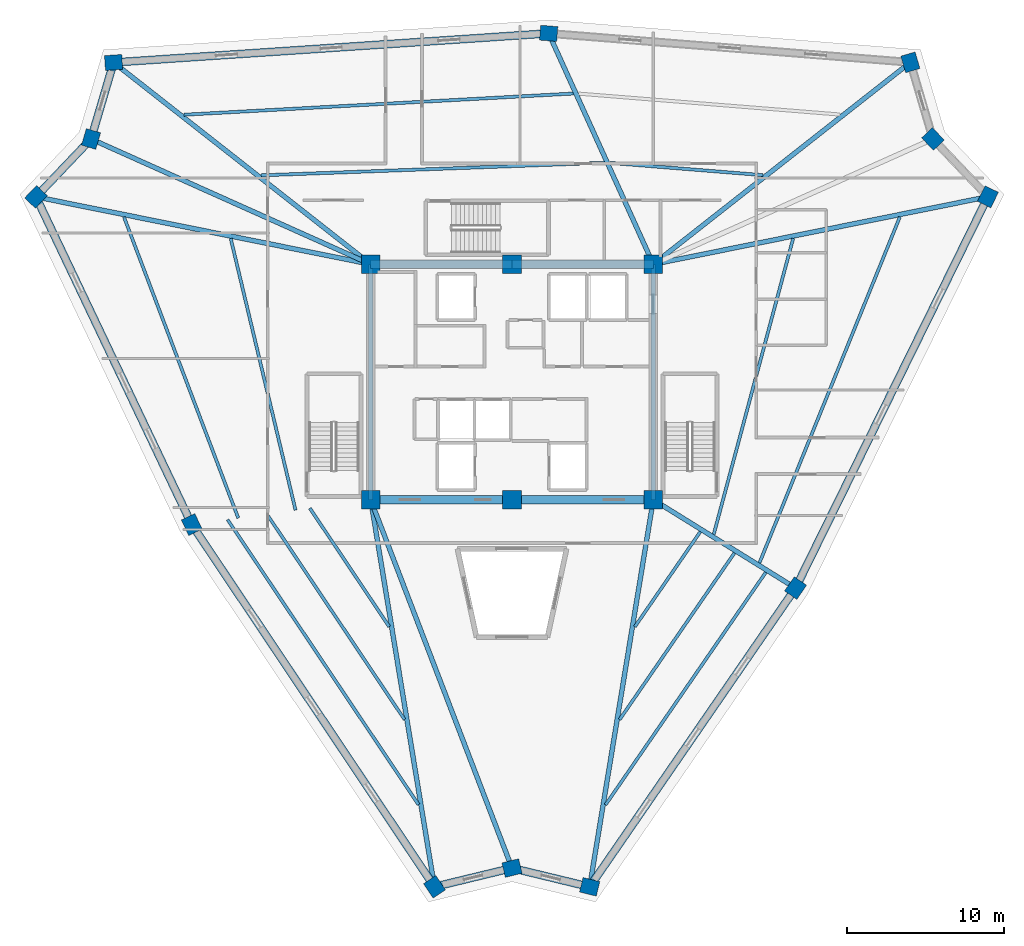
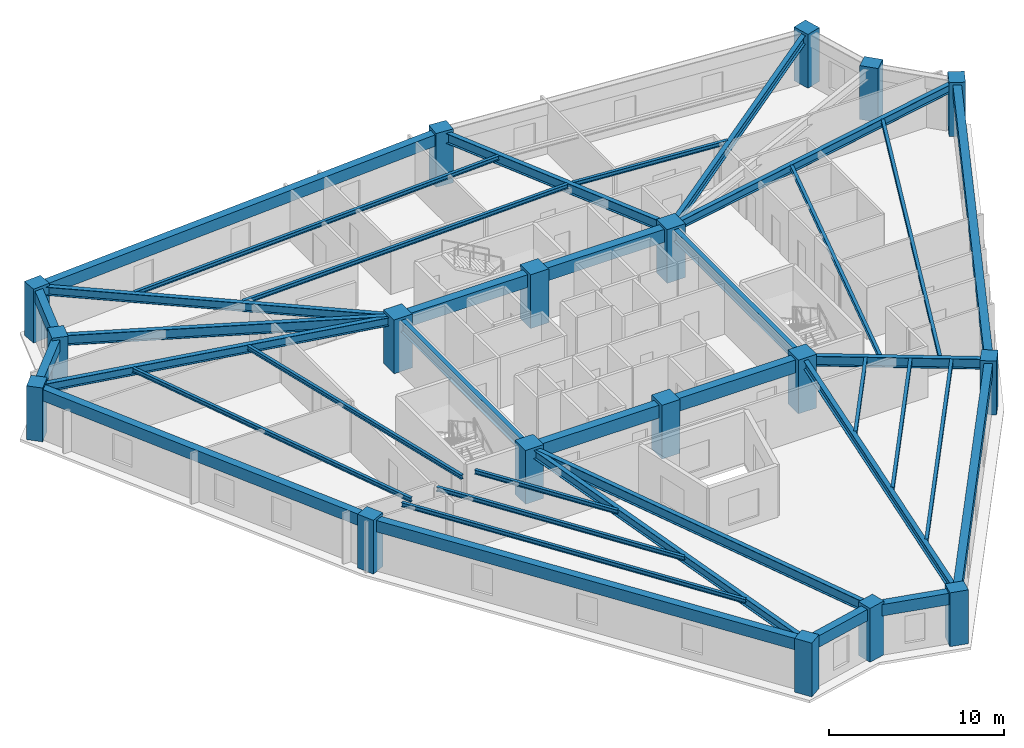
# One storey, part 1 of 8: 38 beams, 18 columns.
"""IFC4 building model written with IfcOpenShell, lengths in metres."""

from ifc_helpers import new_model, si_unit, direction, frame, origin, origin_2d, place, context, subcontext, project, spatial, rectangle, i_section, extrude, source, transform, mapped, material, material_profile, profile_set, type_object, element, save


model = new_model("IFC4")

# Units and contexts
model_context = context("Model", 3, precision=1e-05, world=origin(), true_north=direction((0.0, 1.0)))
body_context = subcontext(model_context, "Body", "Model", "MODEL_VIEW")
ifc_project = project(units=[si_unit("LENGTHUNIT", "METRE"), si_unit("AREAUNIT", "SQUARE_METRE"), si_unit("VOLUMEUNIT", "CUBIC_METRE"), si_unit("PLANEANGLEUNIT", "RADIAN"), si_unit("MASSUNIT", "GRAM", prefix="KILO")], contexts=[model_context])

# Site, building, storey
site_placement = place(None, origin())
site = spatial("IfcSite", under=ifc_project, at=site_placement, CompositionType="ELEMENT")
building_placement = place(site_placement, origin())
building = spatial("IfcBuilding", under=site, at=building_placement, Name="Liaohun Quay Tower", CompositionType="ELEMENT")
storey_placement = place(building_placement, frame((0.0, 0.0, 301.5)))
storey = spatial("IfcBuildingStorey", under=building, at=storey_placement, Name="L78", CompositionType="ELEMENT", Elevation=301.5)

# Columns
ifc_material_1 = material(Name="Concrete C50", Category="concrete")
ifc_material_profile_1 = material_profile(ifc_material_1, rectangle(XDim=1.199951171875, YDim=1.199951171875, at=origin_2d()), Name="RC1200x1200")
ifc_profile_set_1 = profile_set([ifc_material_profile_1], Name="Concrete C50")
column_type_1 = type_object("IfcColumnType", Name="COL-CC-Z4", PredefinedType="COLUMN", material=ifc_profile_set_1)
shared_shape_1 = source(origin(), body_context, "Body", "SweptSolid", [
    extrude(rectangle(XDim=1.199951171875, YDim=1.199951171875, at=origin_2d()), origin(), (0.0, 0.0, 1.0), 3.75),
])
for number, where, z_axis, x_axis, name in (
    (1, (51.0, 46.5, 0.0), (0.0, 0.0, 1.0), (1.0, 0.0, 0.0), "L78 Core Column CC1"),
    (2, (60.0, 46.5, 0.0), (0.0, 0.0, 1.0), (1.0, 0.0, 0.0), "L78 Core Column CC2"),
    (3, (69.0, 46.5, 0.0), (0.0, 0.0, 1.0), (1.0, 0.0, 0.0), "L78 Core Column CC3"),
    (4, (69.0, 61.5, 0.0), (0.0, 0.0, 1.0), (1.0, 0.0, 0.0), "L78 Core Column CC4"),
    (5, (60.0, 61.5, 0.0), (0.0, 0.0, 1.0), (1.0, 0.0, 0.0), "L78 Core Column CC5"),
    (6, (51.0, 61.5, 0.0), (0.0, 0.0, 1.0), (1.0, 0.0, 0.0), "L78 Core Column CC6"),
):
    element("IfcColumn", number, at=place(storey_placement, frame(where, z_axis=z_axis, x_axis=x_axis)), inside=storey, type_object=column_type_1, Name=name, PredefinedType="COLUMN", context=body_context, shape_type="MappedRepresentation", body=[
        mapped(shared_shape_1, transform((0.0, 0.0, 0.0), x_axis=(1.0, 0.0, 0.0), y_axis=(0.0, 1.0, 0.0), z_axis=(0.0, 0.0, 1.0), scale=1.0)),
    ])
ifc_material_profile_2 = material_profile(ifc_material_1, rectangle(XDim=1.10009765625, YDim=0.949951171875, at=origin_2d()), Name="RC1100x950")
ifc_profile_set_2 = profile_set([ifc_material_profile_2], Name="Concrete C50")
column_type_2 = type_object("IfcColumnType", Name="COL-PIER-Z4", PredefinedType="COLUMN", material=ifc_profile_set_2)
shared_shape_2 = source(origin(), body_context, "Body", "SweptSolid", [
    extrude(rectangle(XDim=1.10009765625, YDim=0.949951171875, at=origin_2d()), origin(), (0.0, 0.0, 1.0), 3.75),
])
for number, where, z_axis, x_axis, name in (
    (7, (55.06103515625, 21.846923828125, 0.0), (0.0, 0.0, 1.0), (-0.556585649903, 0.83079023485, 0.0), "L78 Perimeter Pier PC01"),
    (8, (39.60205078125, 44.9208984375, 0.0), (0.0, 0.0, 1.0), (-0.429250430767, 0.903185511225, 0.0), "L78 Perimeter Pier PC02"),
    (9, (29.679931640625, 65.79296875, 0.0), (0.0, 0.0, 1.0), (0.68936671806, 0.724412539946, 0.0), "L78 Perimeter Pier PC03"),
    (10, (33.18798828125, 69.47998046875, 0.0), (0.0, 0.0, 1.0), (0.282508884416, 0.959264682049, 0.0), "L78 Perimeter Pier PC04"),
    (11, (34.6240234375, 74.35302734375, 0.0), (0.0, 0.0, 1.0), (0.997778273548, 0.066622194773, 0.0), "L78 Perimeter Pier PC05"),
    (12, (62.3359375, 76.2060546875, 0.0), (0.0, 0.0, 1.0), (-0.996806812434, 0.079850977983, 0.0), "L78 Perimeter Pier PC06"),
    (13, (85.3740234375, 74.361083984375, 0.0), (0.0, 0.0, 1.0), (-0.282508884416, 0.959264682049, 0.0), "L78 Perimeter Pier PC07"),
    (14, (86.81201171875, 69.47998046875, 0.0), (0.0, 0.0, 1.0), (-0.68936671806, 0.724412539946, 0.0), "L78 Perimeter Pier PC08"),
    (15, (90.31396484375, 65.799072265625, 0.0), (0.0, 0.0, 1.0), (0.441192623644, 0.897412429623, 0.0), "L78 Perimeter Pier PC09"),
    (16, (78.06201171875, 40.8740234375, 0.0), (0.0, 0.0, 1.0), (0.567556381667, 0.823334533242, 0.0), "L78 Perimeter Pier PC10"),
    (17, (64.947021484375, 21.844970703125, 0.0), (0.0, 0.0, 1.0), (-0.972043021443, 0.234802820391, 0.0), "L78 Perimeter Pier PC11"),
    (18, (60.0, 23.0400390625, 0.0), (0.0, 0.0, 1.0), (0.972043021443, 0.234802820391, 0.0), "L78 Perimeter Pier PC12"),
):
    element("IfcColumn", number, at=place(storey_placement, frame(where, z_axis=z_axis, x_axis=x_axis)), inside=storey, type_object=column_type_2, Name=name, PredefinedType="COLUMN", context=body_context, shape_type="MappedRepresentation", body=[
        mapped(shared_shape_2, transform((0.0, 0.0, 0.0), x_axis=(1.0, 0.0, 0.0), y_axis=(0.0, 1.0, 0.0), z_axis=(0.0, 0.0, 1.0), scale=1.0)),
    ])

# Beams
ifc_material_2 = material(Name="Steel Q355D", Category="steel")
ifc_material_profile_3 = material_profile(ifc_material_2, i_section(OverallWidth=0.300048828125, OverallDepth=0.800048828125, WebThickness=0.013916015625, FlangeThickness=0.02587890625, at=origin_2d()), Name="HN800x300x14x26")
ifc_profile_set_3 = profile_set([ifc_material_profile_3], Name="Steel Q355D")
beam_type_1 = type_object("IfcBeamType", Name="BM-RAD-M1", PredefinedType="BEAM", material=ifc_profile_set_3)
shared_shape_3 = source(origin(), body_context, "Body", "SweptSolid", [
    extrude(i_section(OverallWidth=0.300048828125, OverallDepth=0.800048828125, WebThickness=0.013916015625, FlangeThickness=0.02587890625, at=origin_2d()), origin(), (0.0, 0.0, 1.0), 15.0),
])
for number, where, z_axis, x_axis, name in (
    (19, (69.0, 46.5, 3.169921875), (0.0, 1.0, 0.0), (-1.0, 0.0, 0.0), "L78 Core Coupling/Ring Beam CC3-CC4"),
    (20, (51.0, 61.5, 3.169921875), (0.0, -1.0, 0.0), (1.0, 0.0, 0.0), "L78 Core Coupling/Ring Beam CC6-CC1"),
):
    element("IfcBeam", number, at=place(storey_placement, frame(where, z_axis=z_axis, x_axis=x_axis)), inside=storey, type_object=beam_type_1, Name=name, PredefinedType="BEAM", context=body_context, shape_type="MappedRepresentation", body=[
        mapped(shared_shape_3, transform((0.0, 0.0, 0.0), x_axis=(1.0, 0.0, 0.0), y_axis=(0.0, 1.0, 0.0), z_axis=(0.0, 0.0, 1.0), scale=1.0)),
    ])
ifc_material_3 = material(Name="Concrete C55", Category="concrete")
ifc_material_profile_4 = material_profile(ifc_material_3, rectangle(XDim=0.550048828125, YDim=0.89990234375, at=origin_2d()), Name="RC550x900")
ifc_profile_set_4 = profile_set([ifc_material_profile_4], Name="Concrete C55")
beam_type_2 = type_object("IfcBeamType", Name="BM-CPL-2", PredefinedType="LINTEL", material=ifc_profile_set_4)
shared_shape_4 = source(origin(), body_context, "Body", "SweptSolid", [
    extrude(rectangle(XDim=0.550048828125, YDim=0.89990234375, at=origin_2d()), origin(), (0.0, 0.0, 1.0), 9.0),
])
for number, where, z_axis, x_axis, name in (
    (21, (51.0, 46.5, 3.1201171875), (1.0, 0.0, 0.0), (0.0, 1.0, 0.0), "L78 Core Coupling/Ring Beam CC1-CC2"),
    (22, (60.0, 46.5, 3.1201171875), (1.0, 0.0, 0.0), (0.0, 1.0, 0.0), "L78 Core Coupling/Ring Beam CC2-CC3"),
    (23, (69.0, 61.5, 3.1201171875), (-1.0, 0.0, 0.0), (0.0, -1.0, 0.0), "L78 Core Coupling/Ring Beam CC4-CC5"),
    (24, (60.0, 61.5, 3.1201171875), (-1.0, 0.0, 0.0), (0.0, -1.0, 0.0), "L78 Core Coupling/Ring Beam CC5-CC6"),
):
    element("IfcBeam", number, at=place(storey_placement, frame(where, z_axis=z_axis, x_axis=x_axis)), inside=storey, type_object=beam_type_2, Name=name, PredefinedType="LINTEL", context=body_context, shape_type="MappedRepresentation", body=[
        mapped(shared_shape_4, transform((0.0, 0.0, 0.0), x_axis=(1.0, 0.0, 0.0), y_axis=(0.0, 1.0, 0.0), z_axis=(0.0, 0.0, 1.0), scale=1.0)),
    ])
ifc_material_profile_5 = material_profile(ifc_material_2, i_section(OverallWidth=0.300048828125, OverallDepth=0.587890625, WebThickness=0.011962890625, FlangeThickness=0.02001953125, at=origin_2d()), Name="HM588x300x12x20")
ifc_profile_set_5 = profile_set([ifc_material_profile_5], Name="Steel Q355D")
beam_type_3 = type_object("IfcBeamType", Name="BM-RAD-U2", PredefinedType="BEAM", material=ifc_profile_set_5)
shared_shape_5 = source(origin(), body_context, "Body", "SweptSolid", [
    extrude(i_section(OverallWidth=0.300048828125, OverallDepth=0.587890625, WebThickness=0.011962890625, FlangeThickness=0.02001953125, at=origin_2d()), origin(), (0.0, 0.0, 1.0), 24.9853515625),
])
beam_1_placement = place(storey_placement, frame((51.0, 46.5, 3.27587890625), z_axis=(0.162536853645, -0.986702473498, 0.0), x_axis=(0.986702473498, 0.162536853645, 0.0)))
element("IfcBeam", 25, at=beam_1_placement, inside=storey, type_object=beam_type_3, Name="L78 Radial Primary Girder CC1-PC01", PredefinedType="BEAM", context=body_context, shape_type="MappedRepresentation", body=[
    mapped(shared_shape_5, transform((0.0, 0.0, 0.0), x_axis=(1.0, 0.0, 0.0), y_axis=(0.0, 1.0, 0.0), z_axis=(0.0, 0.0, 1.0), scale=1.0)),
])
shared_shape_6 = source(origin(), body_context, "Body", "SweptSolid", [
    extrude(i_section(OverallWidth=0.300048828125, OverallDepth=0.587890625, WebThickness=0.011962890625, FlangeThickness=0.02001953125, at=origin_2d()), origin(), (0.0, 0.0, 1.0), 21.748046875),
])
beam_2_placement = place(storey_placement, frame((51.0, 61.5, 3.27587890625), z_axis=(-0.98032380325, 0.197396151893, 0.0), x_axis=(-0.197396151893, -0.98032380325, 0.0)))
element("IfcBeam", 26, at=beam_2_placement, inside=storey, type_object=beam_type_3, Name="L78 Radial Primary Girder CC6-PC03", PredefinedType="BEAM", context=body_context, shape_type="MappedRepresentation", body=[
    mapped(shared_shape_6, transform((0.0, 0.0, 0.0), x_axis=(1.0, 0.0, 0.0), y_axis=(0.0, 1.0, 0.0), z_axis=(0.0, 0.0, 1.0), scale=1.0)),
])
ifc_material_profile_6 = material_profile(ifc_material_2, i_section(OverallWidth=0.300048828125, OverallDepth=0.699951171875, WebThickness=0.012939453125, FlangeThickness=0.02392578125, at=origin_2d()), Name="HN700x300x13x24")
ifc_profile_set_6 = profile_set([ifc_material_profile_6], Name="Steel Q355D")
beam_type_4 = type_object("IfcBeamType", Name="BM-RAD-U1", PredefinedType="BEAM", material=ifc_profile_set_6)
shared_shape_7 = source(origin(), body_context, "Body", "SweptSolid", [
    extrude(i_section(OverallWidth=0.300048828125, OverallDepth=0.699951171875, WebThickness=0.012939453125, FlangeThickness=0.02392578125, at=origin_2d()), origin(), (0.0, 0.0, 1.0), 19.517822265625),
])
beam_3_placement = place(storey_placement, frame((51.0, 61.5, 3.219970703125), z_axis=(-0.912599463054, 0.408854766432, 0.0), x_axis=(-0.408854766432, -0.912599463054, 0.0)))
element("IfcBeam", 27, at=beam_3_placement, inside=storey, type_object=beam_type_4, Name="L78 Radial Primary Girder CC6-PC04", PredefinedType="BEAM", context=body_context, shape_type="MappedRepresentation", body=[
    mapped(shared_shape_7, transform((0.0, 0.0, 0.0), x_axis=(1.0, 0.0, 0.0), y_axis=(0.0, 1.0, 0.0), z_axis=(0.0, 0.0, 1.0), scale=1.0)),
])
shared_shape_8 = source(origin(), body_context, "Body", "SweptSolid", [
    extrude(i_section(OverallWidth=0.300048828125, OverallDepth=0.587890625, WebThickness=0.011962890625, FlangeThickness=0.02001953125, at=origin_2d()), origin(), (0.0, 0.0, 1.0), 20.817626953125),
])
beam_4_placement = place(storey_placement, frame((51.0, 61.5, 3.27587890625), z_axis=(-0.786640537364, 0.61741126081, 0.0), x_axis=(-0.61741126081, -0.786640537364, 0.0)))
element("IfcBeam", 28, at=beam_4_placement, inside=storey, type_object=beam_type_3, Name="L78 Radial Primary Girder CC6-PC05", PredefinedType="BEAM", context=body_context, shape_type="MappedRepresentation", body=[
    mapped(shared_shape_8, transform((0.0, 0.0, 0.0), x_axis=(1.0, 0.0, 0.0), y_axis=(0.0, 1.0, 0.0), z_axis=(0.0, 0.0, 1.0), scale=1.0)),
])
shared_shape_9 = source(origin(), body_context, "Body", "SweptSolid", [
    extrude(i_section(OverallWidth=0.300048828125, OverallDepth=0.699951171875, WebThickness=0.012939453125, FlangeThickness=0.02392578125, at=origin_2d()), origin(), (0.0, 0.0, 1.0), 16.1455078125),
])
beam_5_placement = place(storey_placement, frame((69.0, 61.5, 3.219970703125), z_axis=(-0.412749979217, 0.910844363575, 0.0), x_axis=(-0.910844363575, -0.412749979217, 0.0)))
element("IfcBeam", 29, at=beam_5_placement, inside=storey, type_object=beam_type_4, Name="L78 Radial Primary Girder CC4-PC06", PredefinedType="BEAM", context=body_context, shape_type="MappedRepresentation", body=[
    mapped(shared_shape_9, transform((0.0, 0.0, 0.0), x_axis=(1.0, 0.0, 0.0), y_axis=(0.0, 1.0, 0.0), z_axis=(0.0, 0.0, 1.0), scale=1.0)),
])
shared_shape_10 = source(origin(), body_context, "Body", "SweptSolid", [
    extrude(i_section(OverallWidth=0.300048828125, OverallDepth=0.587890625, WebThickness=0.011962890625, FlangeThickness=0.02001953125, at=origin_2d()), origin(), (0.0, 0.0, 1.0), 20.821044921875),
])
beam_6_placement = place(storey_placement, frame((69.0, 61.5, 3.27587890625), z_axis=(0.786416794817, 0.617696223746, 0.0), x_axis=(-0.617696223746, 0.786416794817, 0.0)))
element("IfcBeam", 30, at=beam_6_placement, inside=storey, type_object=beam_type_3, Name="L78 Radial Primary Girder CC4-PC07", PredefinedType="BEAM", context=body_context, shape_type="MappedRepresentation", body=[
    mapped(shared_shape_10, transform((0.0, 0.0, 0.0), x_axis=(1.0, 0.0, 0.0), y_axis=(0.0, 1.0, 0.0), z_axis=(0.0, 0.0, 1.0), scale=1.0)),
])
shared_shape_11 = source(origin(), body_context, "Body", "SweptSolid", [
    extrude(i_section(OverallWidth=0.300048828125, OverallDepth=0.587890625, WebThickness=0.011962890625, FlangeThickness=0.02001953125, at=origin_2d()), origin(), (0.0, 0.0, 1.0), 21.7431640625),
])
beam_7_placement = place(storey_placement, frame((69.0, 61.5, 3.27587890625), z_axis=(0.980258491169, 0.197720232881, 0.0), x_axis=(-0.197720232881, 0.980258491169, 0.0)))
element("IfcBeam", 31, at=beam_7_placement, inside=storey, type_object=beam_type_3, Name="L78 Radial Primary Girder CC4-PC09", PredefinedType="BEAM", context=body_context, shape_type="MappedRepresentation", body=[
    mapped(shared_shape_11, transform((0.0, 0.0, 0.0), x_axis=(1.0, 0.0, 0.0), y_axis=(0.0, 1.0, 0.0), z_axis=(0.0, 0.0, 1.0), scale=1.0)),
])
shared_shape_12 = source(origin(), body_context, "Body", "SweptSolid", [
    extrude(i_section(OverallWidth=0.300048828125, OverallDepth=0.699951171875, WebThickness=0.012939453125, FlangeThickness=0.02392578125, at=origin_2d()), origin(), (0.0, 0.0, 1.0), 10.666259765625),
])
beam_8_placement = place(storey_placement, frame((69.0, 46.5, 3.219970703125), z_axis=(0.849586407491, -0.527449463178, 0.0), x_axis=(0.527449463178, 0.849586407491, 0.0)))
element("IfcBeam", 32, at=beam_8_placement, inside=storey, type_object=beam_type_4, Name="L78 Radial Primary Girder CC3-PC10", PredefinedType="BEAM", context=body_context, shape_type="MappedRepresentation", body=[
    mapped(shared_shape_12, transform((0.0, 0.0, 0.0), x_axis=(1.0, 0.0, 0.0), y_axis=(0.0, 1.0, 0.0), z_axis=(0.0, 0.0, 1.0), scale=1.0)),
])
shared_shape_13 = source(origin(), body_context, "Body", "SweptSolid", [
    extrude(i_section(OverallWidth=0.300048828125, OverallDepth=0.587890625, WebThickness=0.011962890625, FlangeThickness=0.02001953125, at=origin_2d()), origin(), (0.0, 0.0, 1.0), 24.98583984375),
])
beam_9_placement = place(storey_placement, frame((69.0, 46.5, 3.27587890625), z_axis=(-0.162210379845, -0.986756197179, 0.0), x_axis=(0.986756197179, -0.162210379845, 0.0)))
element("IfcBeam", 33, at=beam_9_placement, inside=storey, type_object=beam_type_3, Name="L78 Radial Primary Girder CC3-PC11", PredefinedType="BEAM", context=body_context, shape_type="MappedRepresentation", body=[
    mapped(shared_shape_13, transform((0.0, 0.0, 0.0), x_axis=(1.0, 0.0, 0.0), y_axis=(0.0, 1.0, 0.0), z_axis=(0.0, 0.0, 1.0), scale=1.0)),
])
shared_shape_14 = source(origin(), body_context, "Body", "SweptSolid", [
    extrude(i_section(OverallWidth=0.300048828125, OverallDepth=0.699951171875, WebThickness=0.012939453125, FlangeThickness=0.02392578125, at=origin_2d()), origin(), (0.0, 0.0, 1.0), 25.126953125),
])
beam_10_placement = place(storey_placement, frame((51.0, 46.5, 3.219970703125), z_axis=(0.358179411361, -0.933652777684, 0.0), x_axis=(0.933652777684, 0.358179411361, 0.0)))
element("IfcBeam", 34, at=beam_10_placement, inside=storey, type_object=beam_type_4, Name="L78 Radial Primary Girder CC1-PC12", PredefinedType="BEAM", context=body_context, shape_type="MappedRepresentation", body=[
    mapped(shared_shape_14, transform((0.0, 0.0, 0.0), x_axis=(1.0, 0.0, 0.0), y_axis=(0.0, 1.0, 0.0), z_axis=(0.0, 0.0, 1.0), scale=1.0)),
])
ifc_material_profile_7 = material_profile(ifc_material_2, i_section(OverallWidth=0.199951171875, OverallDepth=0.2939453125, WebThickness=0.008056640625, FlangeThickness=0.011962890625, at=origin_2d()), Name="HM294x200x8x12")
ifc_profile_set_7 = profile_set([ifc_material_profile_7], Name="Steel Q355D")
beam_type_5 = type_object("IfcBeamType", Name="BM-SEC-J4", PredefinedType="JOIST", material=ifc_profile_set_7)
shared_shape_15 = source(origin(), body_context, "Body", "SweptSolid", [
    extrude(i_section(OverallWidth=0.199951171875, OverallDepth=0.2939453125, WebThickness=0.008056640625, FlangeThickness=0.011962890625, at=origin_2d()), origin(), (0.0, 0.0, 1.0), 9.080322265625),
])
beam_11_placement = place(storey_placement, frame((52.178955078125, 38.4189453125, 3.423095703125), z_axis=(-0.556578771614, 0.8307948429, 0.0), x_axis=(-0.8307948429, -0.556578771614, 0.0)))
element("IfcBeam", 35, at=beam_11_placement, inside=storey, type_object=beam_type_5, Name="L78 Wing Secondary Floor Joist SJ-01", PredefinedType="JOIST", context=body_context, shape_type="MappedRepresentation", body=[
    mapped(shared_shape_15, transform((0.0, 0.0, 0.0), x_axis=(1.0, 0.0, 0.0), y_axis=(0.0, 1.0, 0.0), z_axis=(0.0, 0.0, 1.0), scale=1.0)),
])
shared_shape_16 = source(origin(), body_context, "Body", "SweptSolid", [
    extrude(i_section(OverallWidth=0.199951171875, OverallDepth=0.2939453125, WebThickness=0.008056640625, FlangeThickness=0.011962890625, at=origin_2d()), origin(), (0.0, 0.0, 1.0), 15.7470703125),
])
beam_12_placement = place(storey_placement, frame((53.154052734375, 32.501953125, 3.423095703125), z_axis=(-0.556623589585, 0.830764816008, 0.0), x_axis=(-0.830764816008, -0.556623589585, 0.0)))
element("IfcBeam", 36, at=beam_12_placement, inside=storey, type_object=beam_type_5, Name="L78 Wing Secondary Floor Joist SJ-02", PredefinedType="JOIST", context=body_context, shape_type="MappedRepresentation", body=[
    mapped(shared_shape_16, transform((0.0, 0.0, 0.0), x_axis=(1.0, 0.0, 0.0), y_axis=(0.0, 1.0, 0.0), z_axis=(0.0, 0.0, 1.0), scale=1.0)),
])
shared_shape_17 = source(origin(), body_context, "Body", "SweptSolid", [
    extrude(i_section(OverallWidth=0.199951171875, OverallDepth=0.2939453125, WebThickness=0.008056640625, FlangeThickness=0.011962890625, at=origin_2d()), origin(), (0.0, 0.0, 1.0), 21.857421875),
])
beam_13_placement = place(storey_placement, frame((54.047119140625, 27.077880859375, 3.423095703125), z_axis=(-0.556565004096, 0.83080406608, 0.0), x_axis=(-0.83080406608, -0.556565004096, 0.0)))
element("IfcBeam", 37, at=beam_13_placement, inside=storey, type_object=beam_type_5, Name="L78 Wing Secondary Floor Joist SJ-03", PredefinedType="JOIST", context=body_context, shape_type="MappedRepresentation", body=[
    mapped(shared_shape_17, transform((0.0, 0.0, 0.0), x_axis=(1.0, 0.0, 0.0), y_axis=(0.0, 1.0, 0.0), z_axis=(0.0, 0.0, 1.0), scale=1.0)),
])
shared_shape_18 = source(origin(), body_context, "Body", "SweptSolid", [
    extrude(i_section(OverallWidth=0.199951171875, OverallDepth=0.2939453125, WebThickness=0.008056640625, FlangeThickness=0.011962890625, at=origin_2d()), origin(), (0.0, 0.0, 1.0), 17.791015625),
])
beam_14_placement = place(storey_placement, frame((46.212890625, 45.8369140625, 3.423095703125), z_axis=(-0.232079360093, 0.97269685443, 0.0), x_axis=(-0.97269685443, -0.232079360093, 0.0)))
element("IfcBeam", 38, at=beam_14_placement, inside=storey, type_object=beam_type_5, Name="L78 Wing Secondary Floor Joist SJ-04", PredefinedType="JOIST", context=body_context, shape_type="MappedRepresentation", body=[
    mapped(shared_shape_18, transform((0.0, 0.0, 0.0), x_axis=(1.0, 0.0, 0.0), y_axis=(0.0, 1.0, 0.0), z_axis=(0.0, 0.0, 1.0), scale=1.0)),
])
shared_shape_19 = source(origin(), body_context, "Body", "SweptSolid", [
    extrude(i_section(OverallWidth=0.199951171875, OverallDepth=0.2939453125, WebThickness=0.008056640625, FlangeThickness=0.011962890625, at=origin_2d()), origin(), (0.0, 0.0, 1.0), 20.513916015625),
])
beam_15_placement = place(storey_placement, frame((42.56494140625, 45.33203125, 3.423095703125), z_axis=(-0.354836482651, 0.934928377246, 0.0), x_axis=(-0.934928377246, -0.354836482651, 0.0)))
element("IfcBeam", 39, at=beam_15_placement, inside=storey, type_object=beam_type_5, Name="L78 Wing Secondary Floor Joist SJ-05", PredefinedType="JOIST", context=body_context, shape_type="MappedRepresentation", body=[
    mapped(shared_shape_19, transform((0.0, 0.0, 0.0), x_axis=(1.0, 0.0, 0.0), y_axis=(0.0, 1.0, 0.0), z_axis=(0.0, 0.0, 1.0), scale=1.0)),
])
shared_shape_20 = source(origin(), body_context, "Body", "SweptSolid", [
    extrude(i_section(OverallWidth=0.199951171875, OverallDepth=0.2939453125, WebThickness=0.008056640625, FlangeThickness=0.011962890625, at=origin_2d()), origin(), (0.0, 0.0, 1.0), 21.8935546875),
])
beam_16_placement = place(storey_placement, frame((44.027099609375, 67.1640625, 3.423095703125), z_axis=(0.999330462326, 0.0365872528, 0.0), x_axis=(-0.0365872528, 0.999330462326, 0.0)))
element("IfcBeam", 40, at=beam_16_placement, inside=storey, type_object=beam_type_5, Name="L78 Wing Secondary Floor Joist SJ-06", PredefinedType="JOIST", context=body_context, shape_type="MappedRepresentation", body=[
    mapped(shared_shape_20, transform((0.0, 0.0, 0.0), x_axis=(1.0, 0.0, 0.0), y_axis=(0.0, 1.0, 0.0), z_axis=(0.0, 0.0, 1.0), scale=1.0)),
])
shared_shape_21 = source(origin(), body_context, "Body", "SweptSolid", [
    extrude(i_section(OverallWidth=0.199951171875, OverallDepth=0.2939453125, WebThickness=0.008056640625, FlangeThickness=0.011962890625, at=origin_2d()), origin(), (0.0, 0.0, 1.0), 24.835693359375),
])
beam_17_placement = place(storey_placement, frame((39.10888671875, 71.02392578125, 3.423095703125), z_axis=(0.998521349901, 0.054360958337, 0.0), x_axis=(-0.054360958337, 0.998521349901, 0.0)))
element("IfcBeam", 41, at=beam_17_placement, inside=storey, type_object=beam_type_5, Name="L78 Wing Secondary Floor Joist SJ-07", PredefinedType="JOIST", context=body_context, shape_type="MappedRepresentation", body=[
    mapped(shared_shape_21, transform((0.0, 0.0, 0.0), x_axis=(1.0, 0.0, 0.0), y_axis=(0.0, 1.0, 0.0), z_axis=(0.0, 0.0, 1.0), scale=1.0)),
])
shared_shape_22 = source(origin(), body_context, "Body", "SweptSolid", [
    extrude(i_section(OverallWidth=0.199951171875, OverallDepth=0.2939453125, WebThickness=0.008056640625, FlangeThickness=0.011962890625, at=origin_2d()), origin(), (0.0, 0.0, 1.0), 9.776123046875),
])
beam_18_placement = place(storey_placement, frame((66.239013671875, 67.95703125, 3.423095703125), z_axis=(0.996803754288, -0.079889144682, 0.0), x_axis=(0.079889144682, 0.996803754288, 0.0)))
element("IfcBeam", 42, at=beam_18_placement, inside=storey, type_object=beam_type_5, Name="L78 Wing Secondary Floor Joist SJ-08", PredefinedType="JOIST", context=body_context, shape_type="MappedRepresentation", body=[
    mapped(shared_shape_22, transform((0.0, 0.0, 0.0), x_axis=(1.0, 0.0, 0.0), y_axis=(0.0, 1.0, 0.0), z_axis=(0.0, 0.0, 1.0), scale=1.0)),
])
shared_shape_23 = source(origin(), body_context, "Body", "SweptSolid", [
    extrude(i_section(OverallWidth=0.199951171875, OverallDepth=0.2939453125, WebThickness=0.008056640625, FlangeThickness=0.011962890625, at=origin_2d()), origin(), (0.0, 0.0, 1.0), 19.5234375),
])
beam_19_placement = place(storey_placement, frame((77.907958984375, 63.14404296875, 3.423095703125), z_axis=(-0.259229854245, -0.96581565667, 0.0), x_axis=(0.96581565667, -0.259229854245, 0.0)))
element("IfcBeam", 43, at=beam_19_placement, inside=storey, type_object=beam_type_5, Name="L78 Wing Secondary Floor Joist SJ-10", PredefinedType="JOIST", context=body_context, shape_type="MappedRepresentation", body=[
    mapped(shared_shape_23, transform((0.0, 0.0, 0.0), x_axis=(1.0, 0.0, 0.0), y_axis=(0.0, 1.0, 0.0), z_axis=(0.0, 0.0, 1.0), scale=1.0)),
])
shared_shape_24 = source(origin(), body_context, "Body", "SweptSolid", [
    extrude(i_section(OverallWidth=0.199951171875, OverallDepth=0.2939453125, WebThickness=0.008056640625, FlangeThickness=0.011962890625, at=origin_2d()), origin(), (0.0, 0.0, 1.0), 23.781982421875),
])
beam_20_placement = place(storey_placement, frame((84.705078125, 64.514892578125, 3.423095703125), z_axis=(-0.376003903903, -0.926618078957, 0.0), x_axis=(0.926618078957, -0.376003903903, 0.0)))
element("IfcBeam", 44, at=beam_20_placement, inside=storey, type_object=beam_type_5, Name="L78 Wing Secondary Floor Joist SJ-11", PredefinedType="JOIST", context=body_context, shape_type="MappedRepresentation", body=[
    mapped(shared_shape_24, transform((0.0, 0.0, 0.0), x_axis=(1.0, 0.0, 0.0), y_axis=(0.0, 1.0, 0.0), z_axis=(0.0, 0.0, 1.0), scale=1.0)),
])
shared_shape_25 = source(origin(), body_context, "Body", "SweptSolid", [
    extrude(i_section(OverallWidth=0.199951171875, OverallDepth=0.2939453125, WebThickness=0.008056640625, FlangeThickness=0.011962890625, at=origin_2d()), origin(), (0.0, 0.0, 1.0), 7.35595703125),
])
beam_21_placement = place(storey_placement, frame((71.99609375, 44.464111328125, 3.423095703125), z_axis=(-0.567432772673, -0.823419728023, 0.0), x_axis=(0.823419728023, -0.567432772673, 0.0)))
element("IfcBeam", 45, at=beam_21_placement, inside=storey, type_object=beam_type_5, Name="L78 Wing Secondary Floor Joist SJ-12", PredefinedType="JOIST", context=body_context, shape_type="MappedRepresentation", body=[
    mapped(shared_shape_25, transform((0.0, 0.0, 0.0), x_axis=(1.0, 0.0, 0.0), y_axis=(0.0, 1.0, 0.0), z_axis=(0.0, 0.0, 1.0), scale=1.0)),
])
shared_shape_26 = source(origin(), body_context, "Body", "SweptSolid", [
    extrude(i_section(OverallWidth=0.199951171875, OverallDepth=0.2939453125, WebThickness=0.008056640625, FlangeThickness=0.011962890625, at=origin_2d()), origin(), (0.0, 0.0, 1.0), 12.90185546875),
])
beam_22_placement = place(storey_placement, frame((74.1708984375, 43.113037109375, 3.423095703125), z_axis=(-0.567498569072, -0.823374382709, 0.0), x_axis=(0.823374382709, -0.567498569072, 0.0)))
element("IfcBeam", 46, at=beam_22_placement, inside=storey, type_object=beam_type_5, Name="L78 Wing Secondary Floor Joist SJ-13", PredefinedType="JOIST", context=body_context, shape_type="MappedRepresentation", body=[
    mapped(shared_shape_26, transform((0.0, 0.0, 0.0), x_axis=(1.0, 0.0, 0.0), y_axis=(0.0, 1.0, 0.0), z_axis=(0.0, 0.0, 1.0), scale=1.0)),
])
shared_shape_27 = source(origin(), body_context, "Body", "SweptSolid", [
    extrude(i_section(OverallWidth=0.199951171875, OverallDepth=0.2939453125, WebThickness=0.008056640625, FlangeThickness=0.011962890625, at=origin_2d()), origin(), (0.0, 0.0, 1.0), 17.98681640625),
])
beam_23_placement = place(storey_placement, frame((76.1640625, 41.8759765625, 3.423095703125), z_axis=(-0.567476641528, -0.823389495512, 0.0), x_axis=(0.823389495512, -0.567476641528, 0.0)))
element("IfcBeam", 47, at=beam_23_placement, inside=storey, type_object=beam_type_5, Name="L78 Wing Secondary Floor Joist SJ-14", PredefinedType="JOIST", context=body_context, shape_type="MappedRepresentation", body=[
    mapped(shared_shape_27, transform((0.0, 0.0, 0.0), x_axis=(1.0, 0.0, 0.0), y_axis=(0.0, 1.0, 0.0), z_axis=(0.0, 0.0, 1.0), scale=1.0)),
])
ifc_material_4 = material(Name="Precast concrete C50", Category="concrete")
ifc_material_profile_8 = material_profile(ifc_material_4, rectangle(XDim=0.5, YDim=0.800048828125, at=origin_2d()), Name="RC500x800")
ifc_profile_set_8 = profile_set([ifc_material_profile_8], Name="Precast concrete C50")
beam_type_6 = type_object("IfcBeamType", Name="BM-SPD-Z4", PredefinedType="SPANDREL", material=ifc_profile_set_8)
shared_shape_28 = source(origin(), body_context, "Body", "SweptSolid", [
    extrude(rectangle(XDim=0.5, YDim=0.800048828125, at=origin_2d()), origin(), (0.0, 0.0, 1.0), 27.77392578125),
])
beam_24_placement = place(storey_placement, frame((55.06103515625, 21.846923828125, 3.169921875), z_axis=(-0.556601506663, 0.830779611438, 0.0), x_axis=(-0.830779611438, -0.556601506663, 0.0)))
element("IfcBeam", 48, at=beam_24_placement, inside=storey, type_object=beam_type_6, Name="L78 Precast Spandrel Beam PC01-PC02", PredefinedType="SPANDREL", context=body_context, shape_type="MappedRepresentation", body=[
    mapped(shared_shape_28, transform((0.0, 0.0, 0.0), x_axis=(1.0, 0.0, 0.0), y_axis=(0.0, 1.0, 0.0), z_axis=(0.0, 0.0, 1.0), scale=1.0)),
])
shared_shape_29 = source(origin(), body_context, "Body", "SweptSolid", [
    extrude(rectangle(XDim=0.5, YDim=0.800048828125, at=origin_2d()), origin(), (0.0, 0.0, 1.0), 23.1103515625),
])
beam_25_placement = place(storey_placement, frame((39.60205078125, 44.9208984375, 3.169921875), z_axis=(-0.429335199183, 0.903145219078, 0.0), x_axis=(-0.903145219078, -0.429335199183, 0.0)))
element("IfcBeam", 49, at=beam_25_placement, inside=storey, type_object=beam_type_6, Name="L78 Precast Spandrel Beam PC02-PC03", PredefinedType="SPANDREL", context=body_context, shape_type="MappedRepresentation", body=[
    mapped(shared_shape_29, transform((0.0, 0.0, 0.0), x_axis=(1.0, 0.0, 0.0), y_axis=(0.0, 1.0, 0.0), z_axis=(0.0, 0.0, 1.0), scale=1.0)),
])
shared_shape_30 = source(origin(), body_context, "Body", "SweptSolid", [
    extrude(rectangle(XDim=0.5, YDim=0.800048828125, at=origin_2d()), origin(), (0.0, 0.0, 1.0), 5.08935546875),
])
for number, where, z_axis, x_axis, name in (
    (50, (29.679931640625, 65.79296875, 3.169921875), (0.689306512784, 0.724469827828, 0.0), (-0.724469827828, 0.689306512784, 0.0), "L78 Precast Spandrel Beam PC03-PC04"),
    (51, (64.947021484375, 21.844970703125, 3.169921875), (-0.972039179917, 0.234818723076, 0.0), (-0.234818723076, -0.972039179917, 0.0), "L78 Precast Spandrel Beam PC11-PC12"),
):
    element("IfcBeam", number, at=place(storey_placement, frame(where, z_axis=z_axis, x_axis=x_axis)), inside=storey, type_object=beam_type_6, Name=name, PredefinedType="SPANDREL", context=body_context, shape_type="MappedRepresentation", body=[
        mapped(shared_shape_30, transform((0.0, 0.0, 0.0), x_axis=(1.0, 0.0, 0.0), y_axis=(0.0, 1.0, 0.0), z_axis=(0.0, 0.0, 1.0), scale=1.0)),
    ])
shared_shape_31 = source(origin(), body_context, "Body", "SweptSolid", [
    extrude(rectangle(XDim=0.5, YDim=0.800048828125, at=origin_2d()), origin(), (0.0, 0.0, 1.0), 5.080322265625),
])
beam_26_placement = place(storey_placement, frame((33.18798828125, 69.47998046875, 3.169921875), z_axis=(0.282671036061, 0.959216912576, 0.0), x_axis=(-0.959216912576, 0.282671036061, 0.0)))
element("IfcBeam", 52, at=beam_26_placement, inside=storey, type_object=beam_type_6, Name="L78 Precast Spandrel Beam PC04-PC05", PredefinedType="SPANDREL", context=body_context, shape_type="MappedRepresentation", body=[
    mapped(shared_shape_31, transform((0.0, 0.0, 0.0), x_axis=(1.0, 0.0, 0.0), y_axis=(0.0, 1.0, 0.0), z_axis=(0.0, 0.0, 1.0), scale=1.0)),
])
shared_shape_32 = source(origin(), body_context, "Body", "SweptSolid", [
    extrude(rectangle(XDim=0.5, YDim=0.800048828125, at=origin_2d()), origin(), (0.0, 0.0, 1.0), 27.773681640625),
])
beam_27_placement = place(storey_placement, frame((34.6240234375, 74.35302734375, 3.169921875), z_axis=(0.997771835738, 0.066718541717, 0.0), x_axis=(-0.066718541717, 0.997771835738, 0.0)))
element("IfcBeam", 53, at=beam_27_placement, inside=storey, type_object=beam_type_6, Name="L78 Precast Spandrel Beam PC05-PC06", PredefinedType="SPANDREL", context=body_context, shape_type="MappedRepresentation", body=[
    mapped(shared_shape_32, transform((0.0, 0.0, 0.0), x_axis=(1.0, 0.0, 0.0), y_axis=(0.0, 1.0, 0.0), z_axis=(0.0, 0.0, 1.0), scale=1.0)),
])
shared_shape_33 = source(origin(), body_context, "Body", "SweptSolid", [
    extrude(rectangle(XDim=0.5, YDim=0.800048828125, at=origin_2d()), origin(), (0.0, 0.0, 1.0), 27.7734375),
])
beam_28_placement = place(storey_placement, frame((90.31396484375, 65.799072265625, 3.169921875), z_axis=(-0.441137929758, -0.897439316572, 0.0), x_axis=(0.897439316572, -0.441137929758, 0.0)))
element("IfcBeam", 54, at=beam_28_placement, inside=storey, type_object=beam_type_6, Name="L78 Precast Spandrel Beam PC09-PC10", PredefinedType="SPANDREL", context=body_context, shape_type="MappedRepresentation", body=[
    mapped(shared_shape_33, transform((0.0, 0.0, 0.0), x_axis=(1.0, 0.0, 0.0), y_axis=(0.0, 1.0, 0.0), z_axis=(0.0, 0.0, 1.0), scale=1.0)),
])
shared_shape_34 = source(origin(), body_context, "Body", "SweptSolid", [
    extrude(rectangle(XDim=0.5, YDim=0.800048828125, at=origin_2d()), origin(), (0.0, 0.0, 1.0), 23.11083984375),
])
beam_29_placement = place(storey_placement, frame((78.06201171875, 40.8740234375, 3.169921875), z_axis=(-0.567483847458, -0.823384529169, 0.0), x_axis=(0.823384529169, -0.567483847458, 0.0)))
element("IfcBeam", 55, at=beam_29_placement, inside=storey, type_object=beam_type_6, Name="L78 Precast Spandrel Beam PC10-PC11", PredefinedType="SPANDREL", context=body_context, shape_type="MappedRepresentation", body=[
    mapped(shared_shape_34, transform((0.0, 0.0, 0.0), x_axis=(1.0, 0.0, 0.0), y_axis=(0.0, 1.0, 0.0), z_axis=(0.0, 0.0, 1.0), scale=1.0)),
])
shared_shape_35 = source(origin(), body_context, "Body", "SweptSolid", [
    extrude(rectangle(XDim=0.5, YDim=0.800048828125, at=origin_2d()), origin(), (0.0, 0.0, 1.0), 5.0810546875),
])
beam_30_placement = place(storey_placement, frame((60.0, 23.0400390625, 3.169921875), z_axis=(-0.972039487889, -0.234817448211, 0.0), x_axis=(0.234817448211, -0.972039487889, 0.0)))
element("IfcBeam", 56, at=beam_30_placement, inside=storey, type_object=beam_type_6, Name="L78 Precast Spandrel Beam PC12-PC01", PredefinedType="SPANDREL", context=body_context, shape_type="MappedRepresentation", body=[
    mapped(shared_shape_35, transform((0.0, 0.0, 0.0), x_axis=(1.0, 0.0, 0.0), y_axis=(0.0, 1.0, 0.0), z_axis=(0.0, 0.0, 1.0), scale=1.0)),
])

save(model, "model.ifc")
